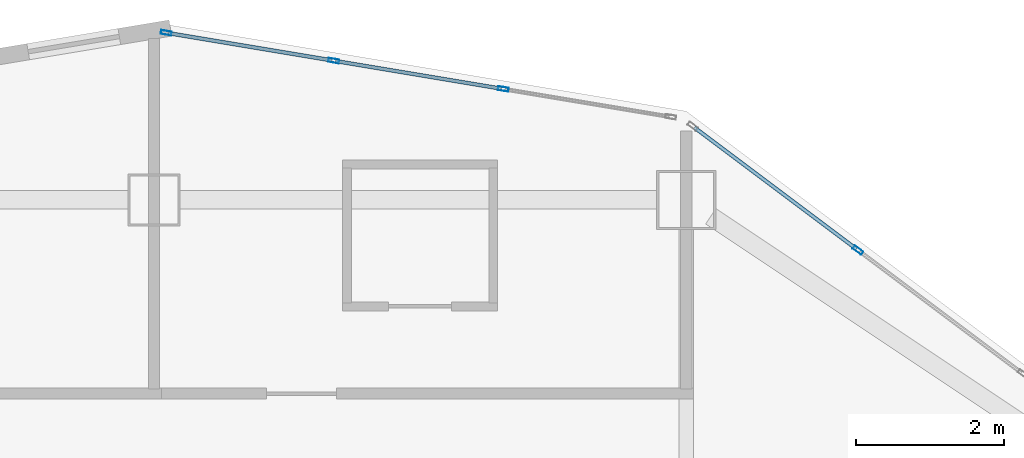
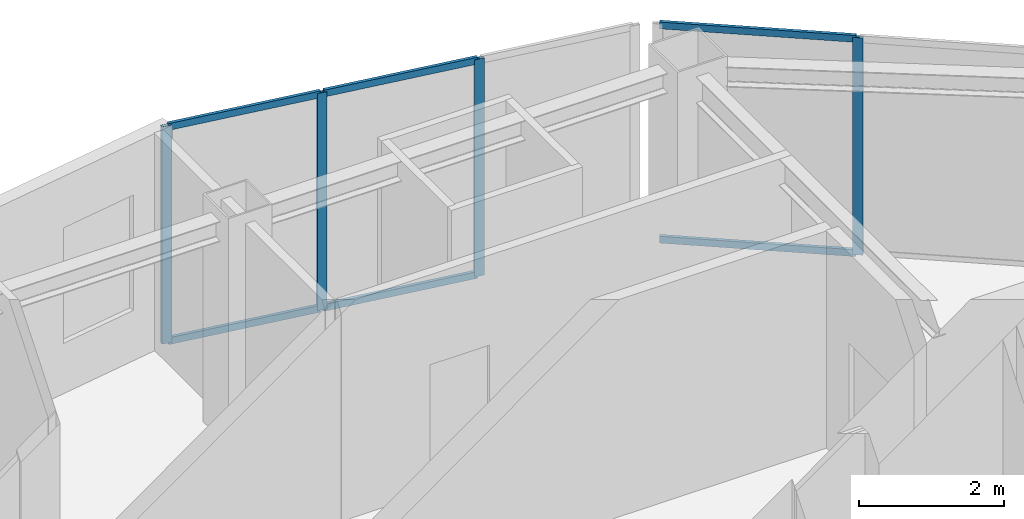
# One storey, part 2 of 9: 10 members, 2 elements without a shape of their own.
"""IFC4 building model written with IfcOpenShell, lengths in metres."""

import ifcopenshell
import ifcopenshell.guid

model = None  # the IFC model being written
_history = None  # IfcOwnerHistory: only IFC2X3 demands one
_inside = {}  # id of a spatial element -> (the spatial element, [elements in it])
_under = {}  # id of a project, library or spatial element -> (it, [spatial elements below it])
_declared = {}  # id of a project -> (the project, [libraries it declares])
_typed = {}  # id of a type object -> (the type object, [elements of that type])
_made_of = {}  # id of a material, layer set ... -> (it, [elements and type objects made of it])


def new_model(schema):
    """Start an empty IFC model of exactly this schema.

    Asked for "IFC4X3", IfcOpenShell would pick the latest addendum, in which some entities
    have other attributes; the version numbers below select the first issue.
    IFC2X3 requires an IfcOwnerHistory on every rooted entity: one is made here for all.
    """
    global model, _history
    if schema == "IFC4X3":
        model = ifcopenshell.file(schema_version=(4, 3, 0, 0))
    else:
        model = ifcopenshell.file(schema=schema)
    _inside.clear()
    _under.clear()
    _declared.clear()
    _typed.clear()
    _made_of.clear()
    _history = None
    if model.schema == "IFC2X3":
        org = make("IfcOrganization", Name="unknown")
        user = make(
            "IfcPersonAndOrganization",
            ThePerson=make("IfcPerson", FamilyName="unknown"),
            TheOrganization=org,
        )
        app = make(
            "IfcApplication",
            ApplicationDeveloper=org,
            Version="unknown",
            ApplicationFullName="unknown",
            ApplicationIdentifier="unknown",
        )
        _history = make(
            "IfcOwnerHistory",
            OwningUser=user,
            OwningApplication=app,
            ChangeAction="ADDED",
            CreationDate=0,
        )
    return model


def make(cls, **values):
    """One entity of the class cls with the attributes given. An attribute that is None is left unset."""
    return model.create_entity(
        cls, **{name: value for name, value in values.items() if value is not None}
    )


def rooted(cls, **values):
    """An entity with a GlobalId (a new one), such as an element, a storey or a relation."""
    return make(cls, GlobalId=ifcopenshell.guid.new(), OwnerHistory=_history, **values)


def si_unit(unit_type, name, prefix=None):
    """IfcSIUnit, for example si_unit("LENGTHUNIT", "METRE", prefix="MILLI")."""
    return make("IfcSIUnit", UnitType=unit_type, Prefix=prefix, Name=name)


def assignment(units):
    """IfcUnitAssignment: the units of a project."""
    return None if units is None else make("IfcUnitAssignment", Units=units)


def point(xyz):
    """IfcCartesianPoint."""
    return None if xyz is None else make("IfcCartesianPoint", Coordinates=xyz)


def direction(xyz):
    """IfcDirection."""
    return None if xyz is None else make("IfcDirection", DirectionRatios=xyz)


def frame(location, z_axis=None, x_axis=None):
    """IfcAxis2Placement3D, a coordinate frame: its origin and axes. An axis left out is left unset."""
    return make(
        "IfcAxis2Placement3D",
        Location=point(location),
        Axis=direction(z_axis),
        RefDirection=direction(x_axis),
    )


def frame_2d(location, x_axis=None):
    """IfcAxis2Placement2D, a coordinate frame in the plane: its origin and x axis."""
    return make(
        "IfcAxis2Placement2D", Location=point(location), RefDirection=direction(x_axis)
    )


def origin():
    """The frame at (0, 0, 0) with its axes left unset."""
    return frame((0.0, 0.0, 0.0))


def origin_2d():
    """The frame at (0, 0) in the plane with its x axis left unset."""
    return frame_2d((0.0, 0.0))


def place(relative_to, where):
    """IfcLocalPlacement: puts the frame where relative to a parent placement (None: the world)."""
    return make(
        "IfcLocalPlacement", PlacementRelTo=relative_to, RelativePlacement=where
    )


def context(
    kind, dimensions, precision=None, world=None, true_north=None, identifier=None
):
    """IfcGeometricRepresentationContext, for example the 3D "Model" context."""
    return make(
        "IfcGeometricRepresentationContext",
        ContextIdentifier=identifier,
        ContextType=kind,
        CoordinateSpaceDimension=dimensions,
        Precision=precision,
        WorldCoordinateSystem=world,
        TrueNorth=true_north,
    )


def subcontext(parent, identifier, kind, view, scale=None):
    """IfcGeometricRepresentationSubContext, for example "Body" below "Model"."""
    return make(
        "IfcGeometricRepresentationSubContext",
        ContextIdentifier=identifier,
        ContextType=kind,
        ParentContext=parent,
        TargetScale=scale,
        TargetView=view,
    )


def project(units=None, contexts=None):
    """IfcProject with its units and contexts."""
    return rooted(
        "IfcProject",
        Name="project",
        RepresentationContexts=contexts,
        UnitsInContext=assignment(units),
    )


def spatial(cls, under=None, at=None, **own):
    """A site, building, storey or space (cls), placed at a placement, below another one or the project."""
    s = rooted(cls, ObjectPlacement=at, **own)
    if under is not None:
        _under.setdefault(under.id(), (under, []))[1].append(s)
    return s


def profile(cls, at=None, kind="AREA", **sizes):
    """A parametric profile (cls). Its sizes go by their IFC names, for example OverallWidth=200.0."""
    return make(cls, ProfileType=kind, Position=at, **sizes)


def hollow_rectangle(**sizes):
    """IfcRectangleHollowProfileDef."""
    return profile("IfcRectangleHollowProfileDef", **sizes)


def extrude(swept, where, along, depth):
    """IfcExtrudedAreaSolid: the profile swept, set in the frame where, extruded along a direction by depth."""
    return make(
        "IfcExtrudedAreaSolid",
        SweptArea=swept,
        Position=where,
        ExtrudedDirection=direction(along),
        Depth=depth,
    )


def shape(context_of_items, identifier, shape_type, items):
    """IfcShapeRepresentation: the items that make up one representation, for example the "Body"."""
    return make(
        "IfcShapeRepresentation",
        ContextOfItems=context_of_items,
        RepresentationIdentifier=identifier,
        RepresentationType=shape_type,
        Items=items,
    )


def material(Name=None, Category=None):
    """IfcMaterial."""
    return make("IfcMaterial", Name=Name, Category=Category)


def layer(
    of_material, thickness, ventilated=None, Name=None, Category=None, Priority=None
):
    """IfcMaterialLayer: one layer of a wall or slab, of a material (None: an air gap)."""
    return make(
        "IfcMaterialLayer",
        Material=of_material,
        LayerThickness=thickness,
        IsVentilated=ventilated,
        Name=Name,
        Category=Category,
        Priority=Priority,
    )


def layer_set(layers, Name=None):
    """IfcMaterialLayerSet."""
    return make("IfcMaterialLayerSet", MaterialLayers=layers, LayerSetName=Name)


def material_profile(
    of_material, cross_section, Name=None, Category=None, Priority=None
):
    """IfcMaterialProfile: a cross section and its material."""
    return make(
        "IfcMaterialProfile",
        Name=Name,
        Material=of_material,
        Profile=cross_section,
        Priority=Priority,
        Category=Category,
    )


def profile_set(profiles, Name=None, composite=None):
    """IfcMaterialProfileSet."""
    return make(
        "IfcMaterialProfileSet",
        Name=Name,
        MaterialProfiles=profiles,
        CompositeProfile=composite,
    )


def made_of(thing, what):
    """Note that an element or type object is made of a material, layer set ...; save() writes the relation."""
    if what is not None:
        _made_of.setdefault(what.id(), (what, []))[1].append(thing)
    return thing


def type_object(cls, material=None, **own):
    """A type object (cls), such as IfcWallType, which elements share."""
    return made_of(rooted(cls, **own), material)


def element(
    cls,
    number,
    at=None,
    inside=None,
    cuts=None,
    type_object=None,
    material=None,
    context=None,
    identifier="Body",
    shape_type=None,
    held_by="IfcProductDefinitionShape",
    body=None,
    shapes=None,
    **own,
):
    """One element of the class cls, such as IfcWall. Its Tag is "e" and its number.

    at: its placement. inside: the storey or other place that contains it. cuts: it is an
    opening in that element (IfcRelVoidsElement). A single representation is given by context,
    identifier, shape_type and body (its items); several are given by shapes. held_by: the class
    of the entity that holds the representations. save() writes the other relations.
    """
    e = rooted(cls, Tag="e%d" % number, ObjectPlacement=at, **own)
    if body is not None:
        shapes = [shape(context, identifier, shape_type, body)]
    if shapes is not None:
        e.Representation = make(held_by, Representations=shapes)
    if inside is not None:
        _inside.setdefault(inside.id(), (inside, []))[1].append(e)
    if cuts is not None:
        rooted(
            "IfcRelVoidsElement", RelatingBuildingElement=cuts, RelatedOpeningElement=e
        )
    if type_object is not None:
        _typed.setdefault(type_object.id(), (type_object, []))[1].append(e)
    return made_of(e, material)


def aggregate(whole, parts):
    """IfcRelAggregates: a whole, such as a stair, and the parts it consists of."""
    return rooted("IfcRelAggregates", RelatingObject=whole, RelatedObjects=parts)


def save(model, path):
    """Write the relations noted so far, then the file.

    IfcRelAggregates (storeys below a building ...), IfcRelContainedInSpatialStructure (elements
    in a storey), IfcRelDefinesByType, IfcRelAssociatesMaterial and IfcRelDeclares: one each for
    every whole, place, type object, material and project.
    """
    for whole, parts in _under.values():
        aggregate(whole, parts)
    for where, things in _inside.values():
        rooted(
            "IfcRelContainedInSpatialStructure",
            RelatedElements=things,
            RelatingStructure=where,
        )
    for kind, things in _typed.values():
        rooted("IfcRelDefinesByType", RelatedObjects=things, RelatingType=kind)
    for what, things in _made_of.values():
        rooted("IfcRelAssociatesMaterial", RelatedObjects=things, RelatingMaterial=what)
    for by, libraries in _declared.values():
        rooted("IfcRelDeclares", RelatingContext=by, RelatedDefinitions=libraries)
    model.write(path)


model = new_model("IFC4")

# Units and contexts
model_context = context("Model", 3, precision=1e-05, world=origin(), true_north=direction((0.0, 1.0)))
body_context = subcontext(model_context, "Body", "Model", "MODEL_VIEW")
ifc_project = project(units=[si_unit("LENGTHUNIT", "METRE"), si_unit("AREAUNIT", "SQUARE_METRE"), si_unit("VOLUMEUNIT", "CUBIC_METRE"), si_unit("PLANEANGLEUNIT", "RADIAN"), si_unit("MASSUNIT", "GRAM", prefix="KILO")], contexts=[model_context])

# Site, building, storey
site_placement = place(None, origin())
site = spatial("IfcSite", under=ifc_project, at=site_placement, CompositionType="ELEMENT")
building_placement = place(site_placement, origin())
building = spatial("IfcBuilding", under=site, at=building_placement, Name="Haolan Belvedere Tower", CompositionType="ELEMENT")
storey_placement = place(building_placement, frame((0.0, 0.0, 269.85009765625)))
storey = spatial("IfcBuildingStorey", under=building, at=storey_placement, Name="L68", CompositionType="ELEMENT", Elevation=269.85009765625)

# Curtain wall, member
ifc_material_1 = material(Name="Anodised champagne-silver aluminium 6063-T6 and Low-E glass", Category="aluminium")
ifc_layer = layer(ifc_material_1, 0.14501953125, Name="Anodised champagne-silver aluminium 6063-T6 and Low-E glass")
ifc_layer_set = layer_set([ifc_layer], Name="Anodised champagne-silver aluminium 6063-T6 and Low-E glass")
curtain_wall_type = type_object("IfcCurtainWallType", Name="CW-SYS-05", PredefinedType="NOTDEFINED", material=ifc_layer_set)
curtain_wall_1_placement = place(storey_placement, origin())
curtain_wall_1 = element("IfcCurtainWall", 1, at=curtain_wall_1_placement, inside=storey, type_object=curtain_wall_type, Name="L68 CW-SYS-05 ribbon curtain wall 8.1", PredefinedType="NOTDEFINED")
ifc_material_2 = material(Name="Anodised aluminium 6063-T6", Category="aluminium")
ifc_material_profile_1 = material_profile(ifc_material_2, hollow_rectangle(XDim=0.053955078125, YDim=0.14501953125, WallThickness=0.00390625, at=origin_2d()), Name="Anodised aluminium 6063-T6")
ifc_profile_set_1 = profile_set([ifc_material_profile_1], Name="Anodised aluminium 6063-T6")
member_type_1 = type_object("IfcMemberType", Name="CW-SYS-05-MUL", PredefinedType="MULLION", material=ifc_profile_set_1)
member_1_placement = place(storey_placement, frame((47.9228515625, 49.720458984375, 0.0), z_axis=(0.0, 0.0, 1.0), x_axis=(-0.600002837806, -0.799997871638, 0.0)))
member_1 = element("IfcMember", 2, at=member_1_placement, type_object=member_type_1, Name="CW-05 mullion 2", PredefinedType="MULLION", context=body_context, shape_type="SweptSolid", body=[
    extrude(hollow_rectangle(XDim=0.053955078125, YDim=0.14501953125, WallThickness=0.00390625, at=origin_2d()), origin(), (0.0, 0.0, 1.0), 3.669921875),
])

# Curtain wall, members
curtain_wall_2_placement = place(storey_placement, origin())
curtain_wall_2 = element("IfcCurtainWall", 3, at=curtain_wall_2_placement, inside=storey, type_object=curtain_wall_type, Name="L68 CW-SYS-05 ribbon curtain wall 9.1", PredefinedType="NOTDEFINED")
member_2_placement = place(storey_placement, frame((43.124267578125, 51.901123046875, 0.0), z_axis=(0.0, 0.0, 1.0), x_axis=(-0.164405962825, -0.98639276122, 0.0)))
member_2 = element("IfcMember", 4, at=member_2_placement, type_object=member_type_1, Name="CW-05 mullion 2", PredefinedType="MULLION", context=body_context, shape_type="SweptSolid", body=[
    extrude(hollow_rectangle(XDim=0.053955078125, YDim=0.14501953125, WallThickness=0.00390625, at=origin_2d()), origin(), (0.0, 0.0, 1.0), 3.669921875),
])
member_3_placement = place(storey_placement, frame((40.831298828125, 52.283203125, 0.0), z_axis=(0.0, 0.0, 1.0), x_axis=(-0.164405962825, -0.98639276122, 0.0)))
member_3 = element("IfcMember", 5, at=member_3_placement, type_object=member_type_1, Name="CW-05 mullion 3", PredefinedType="MULLION", context=body_context, shape_type="SweptSolid", body=[
    extrude(hollow_rectangle(XDim=0.053955078125, YDim=0.14501953125, WallThickness=0.00390625, at=origin_2d()), origin(), (0.0, 0.0, 1.0), 3.669921875),
])
member_4_placement = place(storey_placement, frame((38.564697265625, 52.6611328125, 0.0), z_axis=(0.0, 0.0, 1.0), x_axis=(-0.164405962825, -0.98639276122, 0.0)))
member_4 = element("IfcMember", 6, at=member_4_placement, type_object=member_type_1, Name="CW-05 mullion 4", PredefinedType="MULLION", context=body_context, shape_type="SweptSolid", body=[
    extrude(hollow_rectangle(XDim=0.053955078125, YDim=0.14501953125, WallThickness=0.00390625, at=origin_2d()), origin(), (0.0, 0.0, 1.0), 3.669921875),
])

# Member
ifc_material_profile_2 = material_profile(ifc_material_2, hollow_rectangle(XDim=0.050048828125, YDim=0.114990234375, WallThickness=0.00390625, at=origin_2d()), Name="Anodised aluminium 6063-T6")
ifc_profile_set_2 = profile_set([ifc_material_profile_2], Name="Anodised aluminium 6063-T6")
member_type_2 = type_object("IfcMemberType", Name="CW-SYS-05-TRN", PredefinedType="USERDEFINED", material=ifc_profile_set_2)
member_5_placement = place(storey_placement, frame((47.901123046875, 49.736572265625, 0.02490234375), z_axis=(-0.8, 0.6, 0.0), x_axis=(-0.6, -0.8, 0.0)))
member_5 = element("IfcMember", 7, at=member_5_placement, type_object=member_type_2, Name="CW-05 transom 2.1", ObjectType="TRANSOM", PredefinedType="USERDEFINED", context=body_context, shape_type="SweptSolid", body=[
    extrude(hollow_rectangle(XDim=0.050048828125, YDim=0.114990234375, WallThickness=0.00390625, at=origin_2d()), origin(), (0.0, 0.0, 1.0), 2.738037109375),
])

member_6_placement = place(storey_placement, frame((47.901123046875, 49.736572265625, 3.64501953125), z_axis=(-0.8, 0.6, 0.0), x_axis=(-0.6, -0.8, 0.0)))
member_6 = element("IfcMember", 8, at=member_6_placement, type_object=member_type_2, Name="CW-05 transom 2.2", ObjectType="TRANSOM", PredefinedType="USERDEFINED", context=body_context, shape_type="SweptSolid", body=[
    extrude(hollow_rectangle(XDim=0.050048828125, YDim=0.114990234375, WallThickness=0.00390625, at=origin_2d()), origin(), (0.0, 0.0, 1.0), 2.738037109375),
])

aggregate(curtain_wall_1, [member_1, member_5, member_6])

member_7_placement = place(storey_placement, frame((43.09765625, 51.905517578125, 0.02490234375), z_axis=(-0.986393923832, 0.164398987305, 0.0), x_axis=(-0.164398987305, -0.986393923832, 0.0)))
member_7 = element("IfcMember", 9, at=member_7_placement, type_object=member_type_2, Name="CW-05 transom 2.1", ObjectType="TRANSOM", PredefinedType="USERDEFINED", context=body_context, shape_type="SweptSolid", body=[
    extrude(hollow_rectangle(XDim=0.050048828125, YDim=0.114990234375, WallThickness=0.00390625, at=origin_2d()), origin(), (0.0, 0.0, 1.0), 2.270751953125),
])

member_8_placement = place(storey_placement, frame((43.09765625, 51.905517578125, 3.64501953125), z_axis=(-0.986393923832, 0.164398987305, 0.0), x_axis=(-0.164398987305, -0.986393923832, 0.0)))
member_8 = element("IfcMember", 10, at=member_8_placement, type_object=member_type_2, Name="CW-05 transom 2.2", ObjectType="TRANSOM", PredefinedType="USERDEFINED", context=body_context, shape_type="SweptSolid", body=[
    extrude(hollow_rectangle(XDim=0.050048828125, YDim=0.114990234375, WallThickness=0.00390625, at=origin_2d()), origin(), (0.0, 0.0, 1.0), 2.270751953125),
])

member_9_placement = place(storey_placement, frame((40.8046875, 52.287841796875, 0.02490234375), z_axis=(-0.986393923832, 0.164398987305, 0.0), x_axis=(-0.164398987305, -0.986393923832, 0.0)))
member_9 = element("IfcMember", 11, at=member_9_placement, type_object=member_type_2, Name="CW-05 transom 3.1", ObjectType="TRANSOM", PredefinedType="USERDEFINED", context=body_context, shape_type="SweptSolid", body=[
    extrude(hollow_rectangle(XDim=0.050048828125, YDim=0.114990234375, WallThickness=0.00390625, at=origin_2d()), origin(), (0.0, 0.0, 1.0), 2.243896484375),
])

member_10_placement = place(storey_placement, frame((40.8046875, 52.287841796875, 3.64501953125), z_axis=(-0.986393923832, 0.164398987305, 0.0), x_axis=(-0.164398987305, -0.986393923832, 0.0)))
member_10 = element("IfcMember", 12, at=member_10_placement, type_object=member_type_2, Name="CW-05 transom 3.2", ObjectType="TRANSOM", PredefinedType="USERDEFINED", context=body_context, shape_type="SweptSolid", body=[
    extrude(hollow_rectangle(XDim=0.050048828125, YDim=0.114990234375, WallThickness=0.00390625, at=origin_2d()), origin(), (0.0, 0.0, 1.0), 2.243896484375),
])

aggregate(curtain_wall_2, [member_2, member_3, member_4, member_7, member_8, member_9, member_10])

save(model, "model.ifc")
